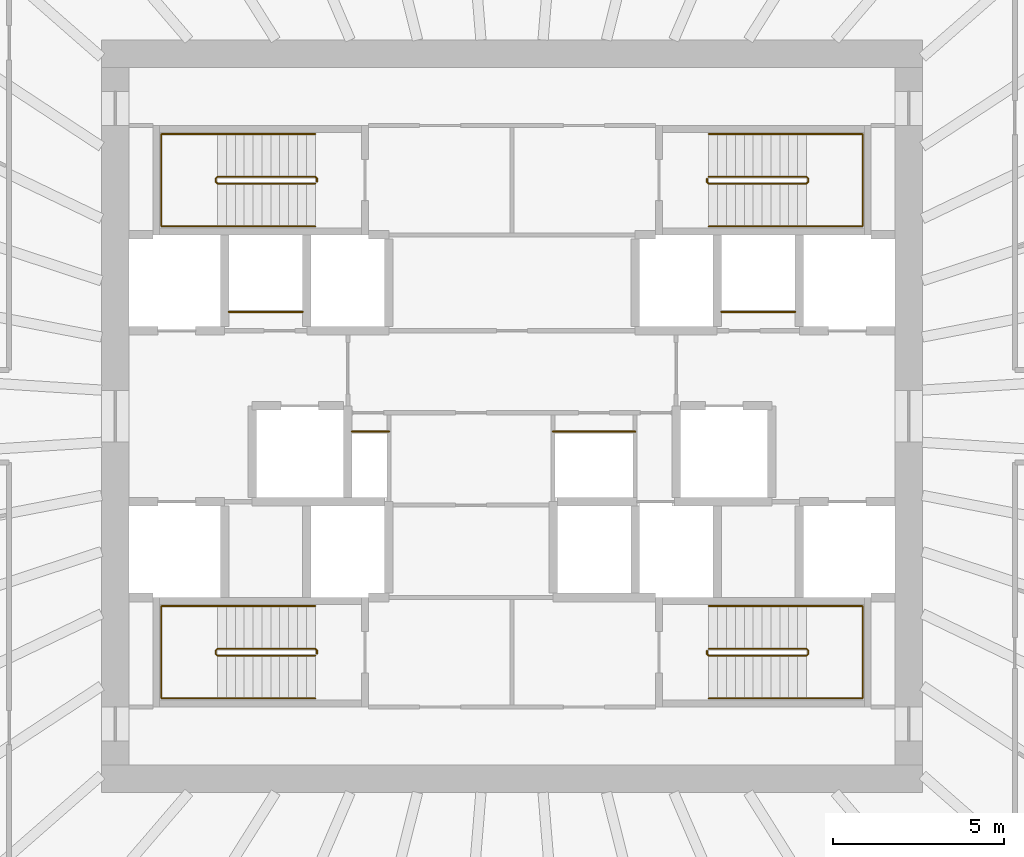
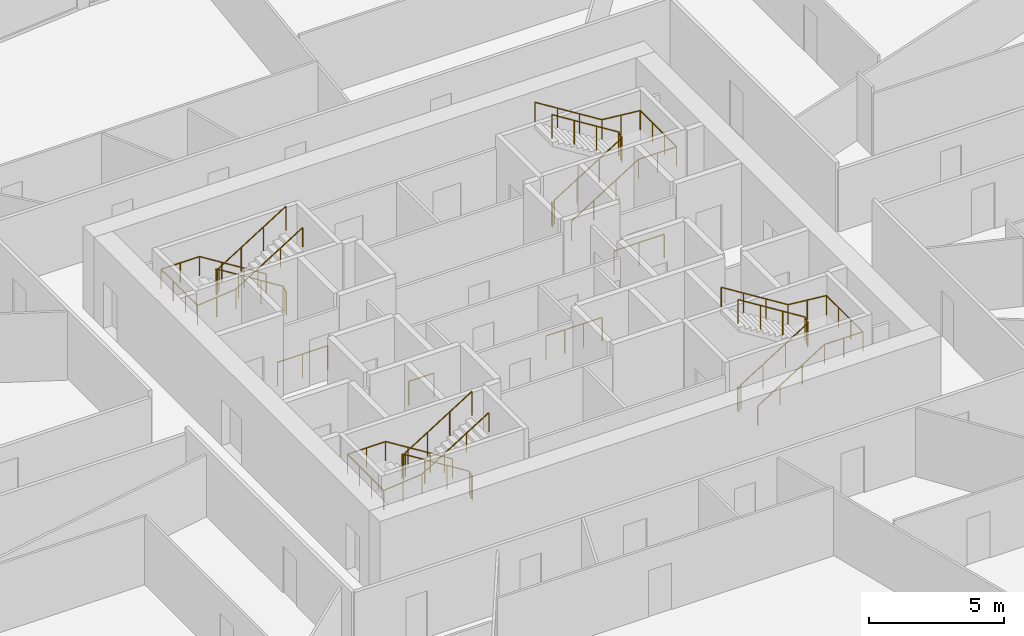
# One storey, part 10 of 10: 12 railings.
"""IFC4 building model written with IfcOpenShell, lengths in metres."""

from ifc_helpers import new_model, si_unit, direction, frame, origin, origin_2d, place, context, subcontext, project, spatial, circle, extrude, source, transform, mapped, material, type_object, element, save


model = new_model("IFC4")

# Units and contexts
model_context = context("Model", 3, precision=1e-05, world=origin(), true_north=direction((0.0, 1.0)))
body_context = subcontext(model_context, "Body", "Model", "MODEL_VIEW")
ifc_project = project(units=[si_unit("LENGTHUNIT", "METRE"), si_unit("AREAUNIT", "SQUARE_METRE"), si_unit("VOLUMEUNIT", "CUBIC_METRE"), si_unit("PLANEANGLEUNIT", "RADIAN"), si_unit("MASSUNIT", "GRAM", prefix="KILO")], contexts=[model_context])

# Site, building, storey
site_placement = place(None, origin())
site = spatial("IfcSite", under=ifc_project, at=site_placement, CompositionType="ELEMENT")
building_placement = place(site_placement, origin())
building = spatial("IfcBuilding", under=site, at=building_placement, Name="Embergate Tower", CompositionType="ELEMENT")
storey_placement = place(building_placement, frame((0.0, 0.0, 167.699951171875)))
storey = spatial("IfcBuildingStorey", under=building, at=storey_placement, Name="L37", CompositionType="ELEMENT", Elevation=167.699951171875)

# Railings
ifc_material_1 = material(Name="Stair guard 1100")
railing_type_1 = type_object("IfcRailingType", Name="Stair guard 1100", PredefinedType="GUARDRAIL", material=ifc_material_1)
shared_shape_1 = source(origin(), body_context, "Body", "SweptSolid", [
    extrude(circle(Radius=0.02392578125, at=origin_2d()), frame((0.0, 0.0, 1.076171875), z_axis=(0.0, 1.0, 0.0), x_axis=(-1.0, 0.0, 0.0)), (0.0, 0.0, 1.0), 0.099853515625),
    extrude(circle(Radius=0.02392578125, at=origin_2d()), frame((0.0, 0.099853515625, 1.076171875), z_axis=(-0.282227285176, 0.282227285176, 0.916894497205), x_axis=(-0.707106781187, -0.707106781187, 0.0)), (0.0, 0.0, 1.0), 0.17724609375),
    extrude(circle(Radius=0.02392578125, at=origin_2d()), frame((-0.050048828125, 0.14990234375, 1.23876953125), z_axis=(-0.848026770018, 0.0, 0.529953391661), x_axis=(0.0, -1.0, 0.0)), (0.0, 0.0, 1.0), 3.37255859375),
    extrude(circle(Radius=0.02392578125, at=origin_2d()), frame((-2.91015625, 0.14990234375, 3.02587890625), z_axis=(-0.705375805398, -0.708833529934, 0.0), x_axis=(0.708833529934, -0.705375805398, 0.0)), (0.0, 0.0, 1.0), 0.070556640625),
    extrude(circle(Radius=0.02392578125, at=origin_2d()), frame((-2.9599609375, 0.099853515625, 3.02587890625), z_axis=(0.0, -1.0, 0.0), x_axis=(1.0, 0.0, 0.0)), (0.0, 0.0, 1.0), 0.099853515625),
    extrude(circle(Radius=0.02392578125, at=origin_2d()), frame((-2.9599609375, 0.0, 3.02587890625), z_axis=(0.280959487676, -0.282336740067, 0.917250092119), x_axis=(0.708833529934, 0.705375805398, 0.0)), (0.0, 0.0, 1.0), 0.17724609375),
    extrude(circle(Radius=0.02392578125, at=origin_2d()), frame((-2.91015625, -0.050048828125, 3.1884765625), z_axis=(0.847994237388, 0.0, 0.530005446535), x_axis=(0.0, 1.0, 0.0)), (0.0, 0.0, 1.0), 3.372802734375),
    extrude(circle(Radius=0.02099609375, at=origin_2d()), origin(), (0.0, 0.0, 1.0), 1.052001953125),
    extrude(circle(Radius=0.02099609375, at=origin_2d()), frame((0.0, 0.099853515625, 0.0)), (0.0, 0.0, 1.0), 1.052001953125),
    extrude(circle(Radius=0.02099609375, at=origin_2d()), frame((-0.050048828125, 0.14990234375, 0.16259765625)), (0.0, 0.0, 1.0), 1.052001953125),
    extrude(circle(Radius=0.02099609375, at=origin_2d()), frame((-1.00341796875, 0.14990234375, 0.75830078125)), (0.0, 0.0, 1.0), 1.052001953125),
    extrude(circle(Radius=0.02099609375, at=origin_2d()), frame((-1.956787109375, 0.14990234375, 1.354248046875)), (0.0, 0.0, 1.0), 1.052001953125),
    extrude(circle(Radius=0.02099609375, at=origin_2d()), frame((-2.91015625, 0.14990234375, 1.949951171875)), (0.0, 0.0, 1.0), 1.052001953125),
    extrude(circle(Radius=0.02099609375, at=origin_2d()), frame((-2.9599609375, 0.099853515625, 1.949951171875)), (0.0, 0.0, 1.0), 1.052001953125),
    extrude(circle(Radius=0.02099609375, at=origin_2d()), frame((-2.9599609375, 0.0, 1.949951171875)), (0.0, 0.0, 1.0), 1.052001953125),
    extrude(circle(Radius=0.02099609375, at=origin_2d()), frame((-2.91015625, -0.050048828125, 2.112548828125)), (0.0, 0.0, 1.0), 1.052001953125),
    extrude(circle(Radius=0.02099609375, at=origin_2d()), frame((-1.956787109375, -0.050048828125, 2.70849609375)), (0.0, 0.0, 1.0), 1.052001953125),
    extrude(circle(Radius=0.02099609375, at=origin_2d()), frame((-1.00341796875, -0.050048828125, 3.30419921875)), (0.0, 0.0, 1.0), 1.052001953125),
    extrude(circle(Radius=0.02099609375, at=origin_2d()), frame((-0.050048828125, -0.050048828125, 3.900146484375)), (0.0, 0.0, 1.0), 1.052001953125),
])
for number, where, name in (
    (1, (-5.699951171875, 6.85009765625, 0.0), "L37 ST1 stair guard 1"),
    (2, (-5.699951171875, -6.949951171875, 0.0), "L37 ST3 stair guard 1"),
):
    element("IfcRailing", number, at=place(storey_placement, frame(where)), inside=storey, type_object=railing_type_1, Name=name, PredefinedType="GUARDRAIL", context=body_context, shape_type="MappedRepresentation", body=[
        mapped(shared_shape_1, transform((0.0, 0.0, 0.0))),
    ])
ifc_material_2 = material(Name="Stair handrail 900")
railing_type_2 = type_object("IfcRailingType", Name="Stair handrail 900", PredefinedType="HANDRAIL", material=ifc_material_2)
shared_shape_2 = source(origin(), body_context, "Body", "SweptSolid", [
    extrude(circle(Radius=0.02392578125, at=origin_2d()), frame((0.0, 0.0, 0.8759765625), z_axis=(-0.848026770018, 0.0, 0.529953391661), x_axis=(0.0, -1.0, 0.0)), (0.0, 0.0, 1.0), 3.37255859375),
    extrude(circle(Radius=0.02392578125, at=origin_2d()), frame((-2.860107421875, 0.0, 2.6630859375), z_axis=(-1.0, 0.0, 0.0), x_axis=(0.0, -1.0, 0.0)), (0.0, 0.0, 1.0), 1.639892578125),
    extrude(circle(Radius=0.02392578125, at=origin_2d()), frame((-4.5, 0.0, 2.6630859375), z_axis=(0.0, -1.0, 0.0), x_axis=(1.0, 0.0, 0.0)), (0.0, 0.0, 1.0), 2.699951171875),
    extrude(circle(Radius=0.02392578125, at=origin_2d()), frame((-4.5, -2.699951171875, 2.6630859375), z_axis=(0.995120448088, 0.0, 0.098667592441), x_axis=(0.0, 1.0, 0.0)), (0.0, 0.0, 1.0), 1.64794921875),
    extrude(circle(Radius=0.02392578125, at=origin_2d()), frame((-2.860107421875, -2.699951171875, 2.82568359375), z_axis=(0.847994237388, 0.0, 0.530005446535), x_axis=(0.0, 1.0, 0.0)), (0.0, 0.0, 1.0), 3.372802734375),
    extrude(circle(Radius=0.02099609375, at=origin_2d()), origin(), (0.0, 0.0, 1.0), 0.851806640625),
    extrude(circle(Radius=0.02099609375, at=origin_2d()), frame((-0.953369140625, 0.0, 0.595703125)), (0.0, 0.0, 1.0), 0.851806640625),
    extrude(circle(Radius=0.02099609375, at=origin_2d()), frame((-1.90673828125, 0.0, 1.191650390625)), (0.0, 0.0, 1.0), 0.851806640625),
    extrude(circle(Radius=0.02099609375, at=origin_2d()), frame((-2.860107421875, 0.0, 1.787353515625)), (0.0, 0.0, 1.0), 0.851806640625),
    extrude(circle(Radius=0.02099609375, at=origin_2d()), frame((-3.68017578125, 0.0, 1.787353515625)), (0.0, 0.0, 1.0), 0.851806640625),
    extrude(circle(Radius=0.02099609375, at=origin_2d()), frame((-4.5, 0.0, 1.787353515625)), (0.0, 0.0, 1.0), 0.851806640625),
    extrude(circle(Radius=0.02099609375, at=origin_2d()), frame((-4.5, -0.89990234375, 1.787353515625)), (0.0, 0.0, 1.0), 0.851806640625),
    extrude(circle(Radius=0.02099609375, at=origin_2d()), frame((-4.5, -1.800048828125, 1.787353515625)), (0.0, 0.0, 1.0), 0.851806640625),
    extrude(circle(Radius=0.02099609375, at=origin_2d()), frame((-4.5, -2.699951171875, 1.787353515625)), (0.0, 0.0, 1.0), 0.851806640625),
    extrude(circle(Radius=0.02099609375, at=origin_2d()), frame((-3.68017578125, -2.699951171875, 1.86865234375)), (0.0, 0.0, 1.0), 0.851806640625),
    extrude(circle(Radius=0.02099609375, at=origin_2d()), frame((-2.860107421875, -2.699951171875, 1.949951171875)), (0.0, 0.0, 1.0), 0.851806640625),
    extrude(circle(Radius=0.02099609375, at=origin_2d()), frame((-1.90673828125, -2.699951171875, 2.5458984375)), (0.0, 0.0, 1.0), 0.851806640625),
    extrude(circle(Radius=0.02099609375, at=origin_2d()), frame((-0.953369140625, -2.699951171875, 3.1416015625)), (0.0, 0.0, 1.0), 0.851806640625),
    extrude(circle(Radius=0.02099609375, at=origin_2d()), frame((0.0, -2.699951171875, 3.737548828125)), (0.0, 0.0, 1.0), 0.851806640625),
])
for number, where, name in (
    (3, (-5.75, 8.25, 0.16259765625), "L37 ST1 stair handrail 1"),
    (4, (-5.75, -5.550048828125, 0.16259765625), "L37 ST3 stair handrail 1"),
):
    element("IfcRailing", number, at=place(storey_placement, frame(where)), inside=storey, type_object=railing_type_2, Name=name, PredefinedType="HANDRAIL", context=body_context, shape_type="MappedRepresentation", body=[
        mapped(shared_shape_2, transform((0.0, 0.0, 0.0))),
    ])
shared_shape_3 = source(origin(), body_context, "Body", "SweptSolid", [
    extrude(circle(Radius=0.02392578125, at=origin_2d()), frame((0.0, 0.0, 1.076171875), z_axis=(0.0, -1.0, 0.0), x_axis=(1.0, 0.0, 0.0)), (0.0, 0.0, 1.0), 0.099853515625),
    extrude(circle(Radius=0.02392578125, at=origin_2d()), frame((0.0, -0.099853515625, 1.076171875), z_axis=(0.282227285176, -0.282227285176, 0.916894497205), x_axis=(0.707106781187, 0.707106781187, 0.0)), (0.0, 0.0, 1.0), 0.17724609375),
    extrude(circle(Radius=0.02392578125, at=origin_2d()), frame((0.050048828125, -0.14990234375, 1.23876953125), z_axis=(0.848026770018, 0.0, 0.529953391661), x_axis=(0.0, 1.0, 0.0)), (0.0, 0.0, 1.0), 3.37255859375),
    extrude(circle(Radius=0.02392578125, at=origin_2d()), frame((2.91015625, -0.14990234375, 3.02587890625), z_axis=(0.705375805398, 0.708833529934, 0.0), x_axis=(-0.708833529934, 0.705375805398, 0.0)), (0.0, 0.0, 1.0), 0.070556640625),
    extrude(circle(Radius=0.02392578125, at=origin_2d()), frame((2.9599609375, -0.099853515625, 3.02587890625), z_axis=(0.0, 1.0, 0.0), x_axis=(-1.0, 0.0, 0.0)), (0.0, 0.0, 1.0), 0.099853515625),
    extrude(circle(Radius=0.02392578125, at=origin_2d()), frame((2.9599609375, 0.0, 3.02587890625), z_axis=(-0.280959487676, 0.282336740067, 0.917250092119), x_axis=(-0.708833529934, -0.705375805398, 0.0)), (0.0, 0.0, 1.0), 0.17724609375),
    extrude(circle(Radius=0.02392578125, at=origin_2d()), frame((2.91015625, 0.050048828125, 3.1884765625), z_axis=(-0.847994237388, 0.0, 0.530005446535), x_axis=(0.0, -1.0, 0.0)), (0.0, 0.0, 1.0), 3.372802734375),
    extrude(circle(Radius=0.02099609375, at=origin_2d()), origin(), (0.0, 0.0, 1.0), 1.052001953125),
    extrude(circle(Radius=0.02099609375, at=origin_2d()), frame((0.0, -0.099853515625, 0.0)), (0.0, 0.0, 1.0), 1.052001953125),
    extrude(circle(Radius=0.02099609375, at=origin_2d()), frame((0.050048828125, -0.14990234375, 0.16259765625)), (0.0, 0.0, 1.0), 1.052001953125),
    extrude(circle(Radius=0.02099609375, at=origin_2d()), frame((1.00341796875, -0.14990234375, 0.75830078125)), (0.0, 0.0, 1.0), 1.052001953125),
    extrude(circle(Radius=0.02099609375, at=origin_2d()), frame((1.956787109375, -0.14990234375, 1.354248046875)), (0.0, 0.0, 1.0), 1.052001953125),
    extrude(circle(Radius=0.02099609375, at=origin_2d()), frame((2.91015625, -0.14990234375, 1.949951171875)), (0.0, 0.0, 1.0), 1.052001953125),
    extrude(circle(Radius=0.02099609375, at=origin_2d()), frame((2.9599609375, -0.099853515625, 1.949951171875)), (0.0, 0.0, 1.0), 1.052001953125),
    extrude(circle(Radius=0.02099609375, at=origin_2d()), frame((2.9599609375, 0.0, 1.949951171875)), (0.0, 0.0, 1.0), 1.052001953125),
    extrude(circle(Radius=0.02099609375, at=origin_2d()), frame((2.91015625, 0.050048828125, 2.112548828125)), (0.0, 0.0, 1.0), 1.052001953125),
    extrude(circle(Radius=0.02099609375, at=origin_2d()), frame((1.956787109375, 0.050048828125, 2.70849609375)), (0.0, 0.0, 1.0), 1.052001953125),
    extrude(circle(Radius=0.02099609375, at=origin_2d()), frame((1.00341796875, 0.050048828125, 3.30419921875)), (0.0, 0.0, 1.0), 1.052001953125),
    extrude(circle(Radius=0.02099609375, at=origin_2d()), frame((0.050048828125, 0.050048828125, 3.900146484375)), (0.0, 0.0, 1.0), 1.052001953125),
])
for number, where, name in (
    (5, (5.699951171875, 6.949951171875, 0.0), "L37 ST2 stair guard 1"),
    (6, (5.699951171875, -6.85009765625, 0.0), "L37 ST4 stair guard 1"),
):
    element("IfcRailing", number, at=place(storey_placement, frame(where)), inside=storey, type_object=railing_type_1, Name=name, PredefinedType="GUARDRAIL", context=body_context, shape_type="MappedRepresentation", body=[
        mapped(shared_shape_3, transform((0.0, 0.0, 0.0))),
    ])
shared_shape_4 = source(origin(), body_context, "Body", "SweptSolid", [
    extrude(circle(Radius=0.02392578125, at=origin_2d()), frame((0.0, 0.0, 0.8759765625), z_axis=(0.848026770018, 0.0, 0.529953391661), x_axis=(0.0, 1.0, 0.0)), (0.0, 0.0, 1.0), 3.37255859375),
    extrude(circle(Radius=0.02392578125, at=origin_2d()), frame((2.860107421875, 0.0, 2.6630859375), z_axis=(1.0, 0.0, 0.0), x_axis=(0.0, 1.0, 0.0)), (0.0, 0.0, 1.0), 1.639892578125),
    extrude(circle(Radius=0.02392578125, at=origin_2d()), frame((4.5, 0.0, 2.6630859375), z_axis=(0.0, 1.0, 0.0), x_axis=(-1.0, 0.0, 0.0)), (0.0, 0.0, 1.0), 2.699951171875),
    extrude(circle(Radius=0.02392578125, at=origin_2d()), frame((4.5, 2.699951171875, 2.6630859375), z_axis=(-0.995120448088, 0.0, 0.098667592441), x_axis=(0.0, -1.0, 0.0)), (0.0, 0.0, 1.0), 1.64794921875),
    extrude(circle(Radius=0.02392578125, at=origin_2d()), frame((2.860107421875, 2.699951171875, 2.82568359375), z_axis=(-0.847994237388, 0.0, 0.530005446535), x_axis=(0.0, -1.0, 0.0)), (0.0, 0.0, 1.0), 3.372802734375),
    extrude(circle(Radius=0.02099609375, at=origin_2d()), origin(), (0.0, 0.0, 1.0), 0.851806640625),
    extrude(circle(Radius=0.02099609375, at=origin_2d()), frame((0.953369140625, 0.0, 0.595703125)), (0.0, 0.0, 1.0), 0.851806640625),
    extrude(circle(Radius=0.02099609375, at=origin_2d()), frame((1.90673828125, 0.0, 1.191650390625)), (0.0, 0.0, 1.0), 0.851806640625),
    extrude(circle(Radius=0.02099609375, at=origin_2d()), frame((2.860107421875, 0.0, 1.787353515625)), (0.0, 0.0, 1.0), 0.851806640625),
    extrude(circle(Radius=0.02099609375, at=origin_2d()), frame((3.68017578125, 0.0, 1.787353515625)), (0.0, 0.0, 1.0), 0.851806640625),
    extrude(circle(Radius=0.02099609375, at=origin_2d()), frame((4.5, 0.0, 1.787353515625)), (0.0, 0.0, 1.0), 0.851806640625),
    extrude(circle(Radius=0.02099609375, at=origin_2d()), frame((4.5, 0.89990234375, 1.787353515625)), (0.0, 0.0, 1.0), 0.851806640625),
    extrude(circle(Radius=0.02099609375, at=origin_2d()), frame((4.5, 1.800048828125, 1.787353515625)), (0.0, 0.0, 1.0), 0.851806640625),
    extrude(circle(Radius=0.02099609375, at=origin_2d()), frame((4.5, 2.699951171875, 1.787353515625)), (0.0, 0.0, 1.0), 0.851806640625),
    extrude(circle(Radius=0.02099609375, at=origin_2d()), frame((3.68017578125, 2.699951171875, 1.86865234375)), (0.0, 0.0, 1.0), 0.851806640625),
    extrude(circle(Radius=0.02099609375, at=origin_2d()), frame((2.860107421875, 2.699951171875, 1.949951171875)), (0.0, 0.0, 1.0), 0.851806640625),
    extrude(circle(Radius=0.02099609375, at=origin_2d()), frame((1.90673828125, 2.699951171875, 2.5458984375)), (0.0, 0.0, 1.0), 0.851806640625),
    extrude(circle(Radius=0.02099609375, at=origin_2d()), frame((0.953369140625, 2.699951171875, 3.1416015625)), (0.0, 0.0, 1.0), 0.851806640625),
    extrude(circle(Radius=0.02099609375, at=origin_2d()), frame((0.0, 2.699951171875, 3.737548828125)), (0.0, 0.0, 1.0), 0.851806640625),
])
for number, where, name in (
    (7, (5.75, 5.550048828125, 0.16259765625), "L37 ST2 stair handrail 1"),
    (8, (5.75, -8.25, 0.16259765625), "L37 ST4 stair handrail 1"),
):
    element("IfcRailing", number, at=place(storey_placement, frame(where)), inside=storey, type_object=railing_type_2, Name=name, PredefinedType="HANDRAIL", context=body_context, shape_type="MappedRepresentation", body=[
        mapped(shared_shape_4, transform((0.0, 0.0, 0.0))),
    ])
ifc_material_3 = material(Name="Opening guard 1100")
railing_type_3 = type_object("IfcRailingType", Name="Opening guard 1100", PredefinedType="GUARDRAIL", material=ifc_material_3)
shared_shape_5 = source(origin(), body_context, "Body", "SweptSolid", [
    extrude(circle(Radius=0.02392578125, at=origin_2d()), frame((0.0, 0.0, 1.076171875), z_axis=(1.0, 0.0, 0.0), x_axis=(0.0, 1.0, 0.0)), (0.0, 0.0, 1.0), 2.14990234375),
    extrude(circle(Radius=0.02099609375, at=origin_2d()), origin(), (0.0, 0.0, 1.0), 1.052001953125),
    extrude(circle(Radius=0.02099609375, at=origin_2d()), frame((1.074951171875, 0.0, 0.0)), (0.0, 0.0, 1.0), 1.052001953125),
    extrude(circle(Radius=0.02099609375, at=origin_2d()), frame((2.14990234375, 0.0, 0.0)), (0.0, 0.0, 1.0), 1.052001953125),
])
for number, where, name in (
    (9, (-8.27490234375, 3.050048828125, 0.0), "Riser opening guard"),
    (10, (6.125, 3.050048828125, 0.0), "Riser opening guard"),
):
    element("IfcRailing", number, at=place(storey_placement, frame(where)), inside=storey, type_object=railing_type_3, Name=name, PredefinedType="GUARDRAIL", context=body_context, shape_type="MappedRepresentation", body=[
        mapped(shared_shape_5, transform((0.0, 0.0, 0.0))),
    ])
shared_shape_6 = source(origin(), body_context, "Body", "SweptSolid", [
    extrude(circle(Radius=0.02392578125, at=origin_2d()), frame((0.0, 0.0, 1.076171875), z_axis=(1.0, 0.0, 0.0), x_axis=(0.0, 1.0, 0.0)), (0.0, 0.0, 1.0), 1.074951171875),
    extrude(circle(Radius=0.02099609375, at=origin_2d()), origin(), (0.0, 0.0, 1.0), 1.052001953125),
    extrude(circle(Radius=0.02099609375, at=origin_2d()), frame((1.074951171875, 0.0, 0.0)), (0.0, 0.0, 1.0), 1.052001953125),
])
railing_1_placement = place(storey_placement, frame((-4.675048828125, -0.449951171875, 0.0)))
element("IfcRailing", 11, at=railing_1_placement, inside=storey, type_object=railing_type_3, Name="Riser opening guard", PredefinedType="GUARDRAIL", context=body_context, shape_type="MappedRepresentation", body=[
    mapped(shared_shape_6, transform((0.0, 0.0, 0.0))),
])
shared_shape_7 = source(origin(), body_context, "Body", "SweptSolid", [
    extrude(circle(Radius=0.02392578125, at=origin_2d()), frame((0.0, 0.0, 1.076171875), z_axis=(1.0, 0.0, 0.0), x_axis=(0.0, 1.0, 0.0)), (0.0, 0.0, 1.0), 2.400146484375),
    extrude(circle(Radius=0.02099609375, at=origin_2d()), origin(), (0.0, 0.0, 1.0), 1.052001953125),
    extrude(circle(Radius=0.02099609375, at=origin_2d()), frame((0.800048828125, 0.0, 0.0)), (0.0, 0.0, 1.0), 1.052001953125),
    extrude(circle(Radius=0.02099609375, at=origin_2d()), frame((1.60009765625, 0.0, 0.0)), (0.0, 0.0, 1.0), 1.052001953125),
    extrude(circle(Radius=0.02099609375, at=origin_2d()), frame((2.400146484375, 0.0, 0.0)), (0.0, 0.0, 1.0), 1.052001953125),
])
railing_2_placement = place(storey_placement, frame((1.199951171875, -0.449951171875, 0.0)))
element("IfcRailing", 12, at=railing_2_placement, inside=storey, type_object=railing_type_3, Name="Riser opening guard", PredefinedType="GUARDRAIL", context=body_context, shape_type="MappedRepresentation", body=[
    mapped(shared_shape_7, transform((0.0, 0.0, 0.0))),
])

save(model, "model.ifc")
